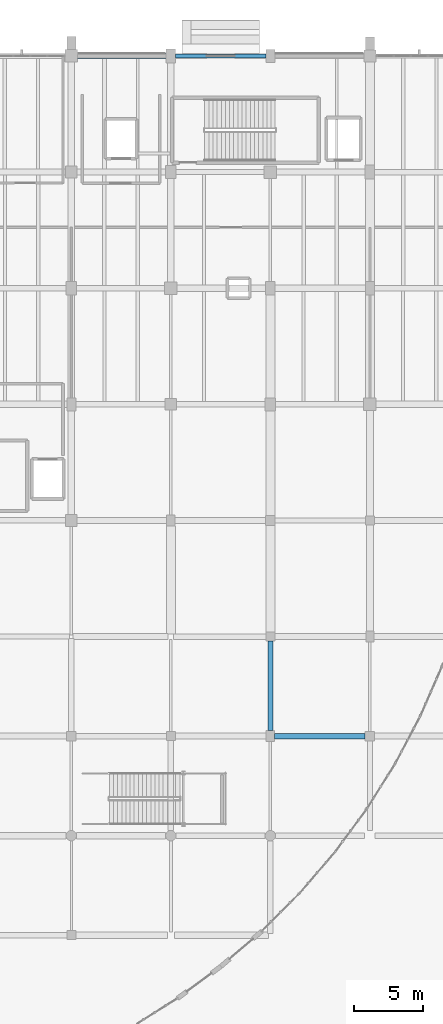
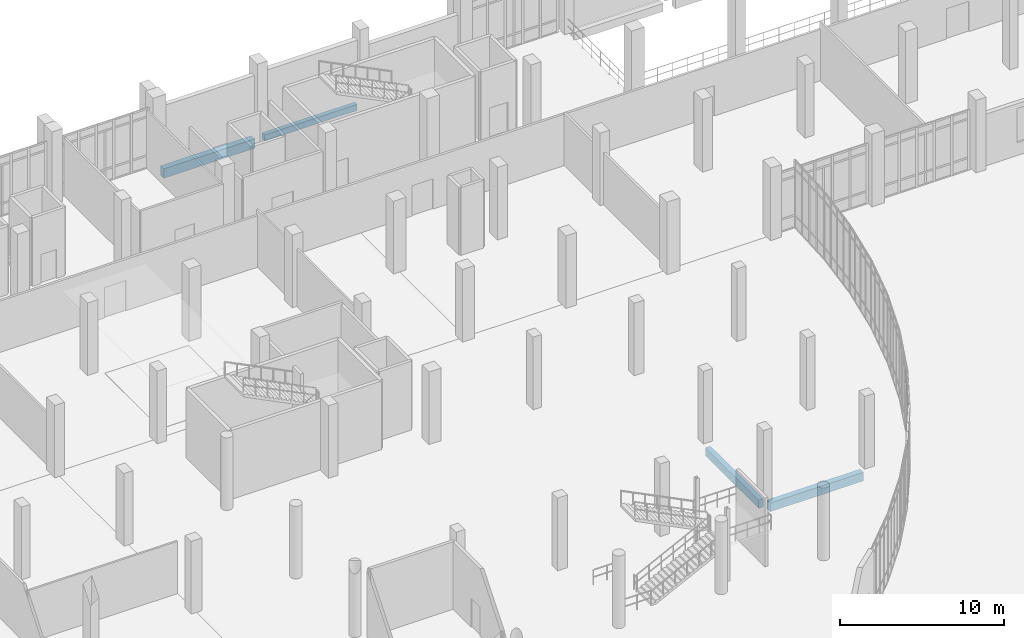
# One storey, part 44 of 110: 4 beams.
"""IFC4 building model written with IfcOpenShell, lengths in metres."""

import ifcopenshell
import ifcopenshell.guid

model = None  # the IFC model being written
_history = None  # IfcOwnerHistory: only IFC2X3 demands one
_inside = {}  # id of a spatial element -> (the spatial element, [elements in it])
_under = {}  # id of a project, library or spatial element -> (it, [spatial elements below it])
_declared = {}  # id of a project -> (the project, [libraries it declares])
_typed = {}  # id of a type object -> (the type object, [elements of that type])
_made_of = {}  # id of a material, layer set ... -> (it, [elements and type objects made of it])


def new_model(schema):
    """Start an empty IFC model of exactly this schema.

    Asked for "IFC4X3", IfcOpenShell would pick the latest addendum, in which some entities
    have other attributes; the version numbers below select the first issue.
    IFC2X3 requires an IfcOwnerHistory on every rooted entity: one is made here for all.
    """
    global model, _history
    if schema == "IFC4X3":
        model = ifcopenshell.file(schema_version=(4, 3, 0, 0))
    else:
        model = ifcopenshell.file(schema=schema)
    _inside.clear()
    _under.clear()
    _declared.clear()
    _typed.clear()
    _made_of.clear()
    _history = None
    if model.schema == "IFC2X3":
        org = make("IfcOrganization", Name="unknown")
        user = make(
            "IfcPersonAndOrganization",
            ThePerson=make("IfcPerson", FamilyName="unknown"),
            TheOrganization=org,
        )
        app = make(
            "IfcApplication",
            ApplicationDeveloper=org,
            Version="unknown",
            ApplicationFullName="unknown",
            ApplicationIdentifier="unknown",
        )
        _history = make(
            "IfcOwnerHistory",
            OwningUser=user,
            OwningApplication=app,
            ChangeAction="ADDED",
            CreationDate=0,
        )
    return model


def make(cls, **values):
    """One entity of the class cls with the attributes given. An attribute that is None is left unset."""
    return model.create_entity(
        cls, **{name: value for name, value in values.items() if value is not None}
    )


def rooted(cls, **values):
    """An entity with a GlobalId (a new one), such as an element, a storey or a relation."""
    return make(cls, GlobalId=ifcopenshell.guid.new(), OwnerHistory=_history, **values)


def si_unit(unit_type, name, prefix=None):
    """IfcSIUnit, for example si_unit("LENGTHUNIT", "METRE", prefix="MILLI")."""
    return make("IfcSIUnit", UnitType=unit_type, Prefix=prefix, Name=name)


def assignment(units):
    """IfcUnitAssignment: the units of a project."""
    return None if units is None else make("IfcUnitAssignment", Units=units)


def point(xyz):
    """IfcCartesianPoint."""
    return None if xyz is None else make("IfcCartesianPoint", Coordinates=xyz)


def direction(xyz):
    """IfcDirection."""
    return None if xyz is None else make("IfcDirection", DirectionRatios=xyz)


def frame(location, z_axis=None, x_axis=None):
    """IfcAxis2Placement3D, a coordinate frame: its origin and axes. An axis left out is left unset."""
    return make(
        "IfcAxis2Placement3D",
        Location=point(location),
        Axis=direction(z_axis),
        RefDirection=direction(x_axis),
    )


def frame_2d(location, x_axis=None):
    """IfcAxis2Placement2D, a coordinate frame in the plane: its origin and x axis."""
    return make(
        "IfcAxis2Placement2D", Location=point(location), RefDirection=direction(x_axis)
    )


def origin():
    """The frame at (0, 0, 0) with its axes left unset."""
    return frame((0.0, 0.0, 0.0))


def origin_2d():
    """The frame at (0, 0) in the plane with its x axis left unset."""
    return frame_2d((0.0, 0.0))


def place(relative_to, where):
    """IfcLocalPlacement: puts the frame where relative to a parent placement (None: the world)."""
    return make(
        "IfcLocalPlacement", PlacementRelTo=relative_to, RelativePlacement=where
    )


def context(
    kind, dimensions, precision=None, world=None, true_north=None, identifier=None
):
    """IfcGeometricRepresentationContext, for example the 3D "Model" context."""
    return make(
        "IfcGeometricRepresentationContext",
        ContextIdentifier=identifier,
        ContextType=kind,
        CoordinateSpaceDimension=dimensions,
        Precision=precision,
        WorldCoordinateSystem=world,
        TrueNorth=true_north,
    )


def subcontext(parent, identifier, kind, view, scale=None):
    """IfcGeometricRepresentationSubContext, for example "Body" below "Model"."""
    return make(
        "IfcGeometricRepresentationSubContext",
        ContextIdentifier=identifier,
        ContextType=kind,
        ParentContext=parent,
        TargetScale=scale,
        TargetView=view,
    )


def project(units=None, contexts=None):
    """IfcProject with its units and contexts."""
    return rooted(
        "IfcProject",
        Name="project",
        RepresentationContexts=contexts,
        UnitsInContext=assignment(units),
    )


def spatial(cls, under=None, at=None, **own):
    """A site, building, storey or space (cls), placed at a placement, below another one or the project."""
    s = rooted(cls, ObjectPlacement=at, **own)
    if under is not None:
        _under.setdefault(under.id(), (under, []))[1].append(s)
    return s


def profile(cls, at=None, kind="AREA", **sizes):
    """A parametric profile (cls). Its sizes go by their IFC names, for example OverallWidth=200.0."""
    return make(cls, ProfileType=kind, Position=at, **sizes)


def rectangle(**sizes):
    """IfcRectangleProfileDef."""
    return profile("IfcRectangleProfileDef", **sizes)


def extrude(swept, where, along, depth):
    """IfcExtrudedAreaSolid: the profile swept, set in the frame where, extruded along a direction by depth."""
    return make(
        "IfcExtrudedAreaSolid",
        SweptArea=swept,
        Position=where,
        ExtrudedDirection=direction(along),
        Depth=depth,
    )


def shape(context_of_items, identifier, shape_type, items):
    """IfcShapeRepresentation: the items that make up one representation, for example the "Body"."""
    return make(
        "IfcShapeRepresentation",
        ContextOfItems=context_of_items,
        RepresentationIdentifier=identifier,
        RepresentationType=shape_type,
        Items=items,
    )


def material(Name=None, Category=None):
    """IfcMaterial."""
    return make("IfcMaterial", Name=Name, Category=Category)


def material_profile(
    of_material, cross_section, Name=None, Category=None, Priority=None
):
    """IfcMaterialProfile: a cross section and its material."""
    return make(
        "IfcMaterialProfile",
        Name=Name,
        Material=of_material,
        Profile=cross_section,
        Priority=Priority,
        Category=Category,
    )


def profile_set(profiles, Name=None, composite=None):
    """IfcMaterialProfileSet."""
    return make(
        "IfcMaterialProfileSet",
        Name=Name,
        MaterialProfiles=profiles,
        CompositeProfile=composite,
    )


def made_of(thing, what):
    """Note that an element or type object is made of a material, layer set ...; save() writes the relation."""
    if what is not None:
        _made_of.setdefault(what.id(), (what, []))[1].append(thing)
    return thing


def type_object(cls, material=None, **own):
    """A type object (cls), such as IfcWallType, which elements share."""
    return made_of(rooted(cls, **own), material)


def element(
    cls,
    number,
    at=None,
    inside=None,
    cuts=None,
    type_object=None,
    material=None,
    context=None,
    identifier="Body",
    shape_type=None,
    held_by="IfcProductDefinitionShape",
    body=None,
    shapes=None,
    **own,
):
    """One element of the class cls, such as IfcWall. Its Tag is "e" and its number.

    at: its placement. inside: the storey or other place that contains it. cuts: it is an
    opening in that element (IfcRelVoidsElement). A single representation is given by context,
    identifier, shape_type and body (its items); several are given by shapes. held_by: the class
    of the entity that holds the representations. save() writes the other relations.
    """
    e = rooted(cls, Tag="e%d" % number, ObjectPlacement=at, **own)
    if body is not None:
        shapes = [shape(context, identifier, shape_type, body)]
    if shapes is not None:
        e.Representation = make(held_by, Representations=shapes)
    if inside is not None:
        _inside.setdefault(inside.id(), (inside, []))[1].append(e)
    if cuts is not None:
        rooted(
            "IfcRelVoidsElement", RelatingBuildingElement=cuts, RelatedOpeningElement=e
        )
    if type_object is not None:
        _typed.setdefault(type_object.id(), (type_object, []))[1].append(e)
    return made_of(e, material)


def aggregate(whole, parts):
    """IfcRelAggregates: a whole, such as a stair, and the parts it consists of."""
    return rooted("IfcRelAggregates", RelatingObject=whole, RelatedObjects=parts)


def save(model, path):
    """Write the relations noted so far, then the file.

    IfcRelAggregates (storeys below a building ...), IfcRelContainedInSpatialStructure (elements
    in a storey), IfcRelDefinesByType, IfcRelAssociatesMaterial and IfcRelDeclares: one each for
    every whole, place, type object, material and project.
    """
    for whole, parts in _under.values():
        aggregate(whole, parts)
    for where, things in _inside.values():
        rooted(
            "IfcRelContainedInSpatialStructure",
            RelatedElements=things,
            RelatingStructure=where,
        )
    for kind, things in _typed.values():
        rooted("IfcRelDefinesByType", RelatedObjects=things, RelatingType=kind)
    for what, things in _made_of.values():
        rooted("IfcRelAssociatesMaterial", RelatedObjects=things, RelatingMaterial=what)
    for by, libraries in _declared.values():
        rooted("IfcRelDeclares", RelatingContext=by, RelatedDefinitions=libraries)
    model.write(path)


model = new_model("IFC4")

# Units and contexts
model_context = context("Model", 3, precision=1e-05, world=origin(), true_north=direction((0.0, 1.0)))
body_context = subcontext(model_context, "Body", "Model", "MODEL_VIEW")
ifc_project = project(units=[si_unit("LENGTHUNIT", "METRE"), si_unit("AREAUNIT", "SQUARE_METRE"), si_unit("VOLUMEUNIT", "CUBIC_METRE"), si_unit("PLANEANGLEUNIT", "RADIAN"), si_unit("MASSUNIT", "GRAM", prefix="KILO")], contexts=[model_context])

# Site, building, storey
site_placement = place(None, origin())
site = spatial("IfcSite", under=ifc_project, at=site_placement, CompositionType="ELEMENT")
building_placement = place(site_placement, origin())
building = spatial("IfcBuilding", under=site, at=building_placement, Name="Kalluvel Institute of Natural Sciences", CompositionType="ELEMENT")
storey_placement = place(building_placement, origin())
storey = spatial("IfcBuildingStorey", under=building, at=storey_placement, Name="L00", CompositionType="ELEMENT", Elevation=0.0)

# Beams
ifc_material = material(Name="Concrete M40", Category="concrete")
ifc_material_profile_1 = material_profile(ifc_material, rectangle(XDim=0.35009765625, YDim=0.60009765625, at=origin_2d()), Name="RCB 350x600")
ifc_profile_set_1 = profile_set([ifc_material_profile_1], Name="Concrete M40")
beam_type_1 = type_object("IfcBeamType", Name="BM-RC350x600", PredefinedType="BEAM", material=ifc_profile_set_1)
beam_1_placement = place(storey_placement, frame((71.60009765625, 79.199951171875, -0.6201171875), z_axis=(0.0, 1.0, 0.0), x_axis=(-1.0, 0.0, 0.0)))
element("IfcBeam", 1, at=beam_1_placement, inside=storey, type_object=beam_type_1, Name="L00 girder GIR-L00-NS-X716-Y788", PredefinedType="BEAM", context=body_context, shape_type="SweptSolid", body=[
    extrude(rectangle(XDim=0.35009765625, YDim=0.60009765625, at=origin_2d()), origin(), (0.0, 0.0, 1.0), 6.47509765625),
])
ifc_material_profile_2 = material_profile(ifc_material, rectangle(XDim=0.39990234375, YDim=0.64990234375, at=origin_2d()), Name="RCB 400x650")
ifc_profile_set_2 = profile_set([ifc_material_profile_2], Name="Concrete M40")
beam_type_2 = type_object("IfcBeamType", Name="BM-RC400x650", PredefinedType="BEAM", material=ifc_profile_set_2)
beam_2_placement = place(storey_placement, frame((71.89990234375, 78.800048828125, -0.64501953125), z_axis=(1.0, 0.0, 0.0), x_axis=(0.0, 1.0, 0.0)))
element("IfcBeam", 2, at=beam_2_placement, inside=storey, type_object=beam_type_2, Name="L00 girder GIR-L00-EW-X716-Y788", PredefinedType="BEAM", context=body_context, shape_type="SweptSolid", body=[
    extrude(rectangle(XDim=0.39990234375, YDim=0.64990234375, at=origin_2d()), origin(), (0.0, 0.0, 1.0), 6.550048828125),
])
ifc_material_profile_3 = material_profile(ifc_material, rectangle(XDim=0.300048828125, YDim=0.449951171875, at=origin_2d()), Name="RCB 300x450")
ifc_profile_set_3 = profile_set([ifc_material_profile_3], Name="Concrete M40")
beam_type_3 = type_object("IfcBeamType", Name="SP-RC300x450", PredefinedType="SPANDREL", material=ifc_profile_set_3)
beam_3_placement = place(storey_placement, frame((64.75, 128.0, -0.544921875), z_axis=(1.0, 0.0, 0.0), x_axis=(0.0, 1.0, 0.0)))
element("IfcBeam", 3, at=beam_3_placement, inside=storey, type_object=beam_type_3, Name="L00 girder GIR-L00-EW-X644-Y1280", PredefinedType="SPANDREL", context=body_context, shape_type="SweptSolid", body=[
    extrude(rectangle(XDim=0.300048828125, YDim=0.449951171875, at=origin_2d()), origin(), (0.0, 0.0, 1.0), 6.52490234375),
])
ifc_material_profile_4 = material_profile(ifc_material, rectangle(XDim=0.39990234375, YDim=0.699951171875, at=origin_2d()), Name="RCB 400x700")
ifc_profile_set_4 = profile_set([ifc_material_profile_4], Name="Concrete M40")
beam_type_4 = type_object("IfcBeamType", Name="SP-RC400x700", PredefinedType="SPANDREL", material=ifc_profile_set_4)
beam_4_placement = place(storey_placement, frame((57.64990234375, 128.0, -0.669921875), z_axis=(1.0, 0.0, 0.0), x_axis=(0.0, 1.0, 0.0)))
element("IfcBeam", 4, at=beam_4_placement, inside=storey, type_object=beam_type_4, Name="L00 girder GIR-L00-EW-X572-Y1280", PredefinedType="SPANDREL", context=body_context, shape_type="SweptSolid", body=[
    extrude(rectangle(XDim=0.39990234375, YDim=0.699951171875, at=origin_2d()), origin(), (0.0, 0.0, 1.0), 6.400146484375),
])

save(model, "model.ifc")
